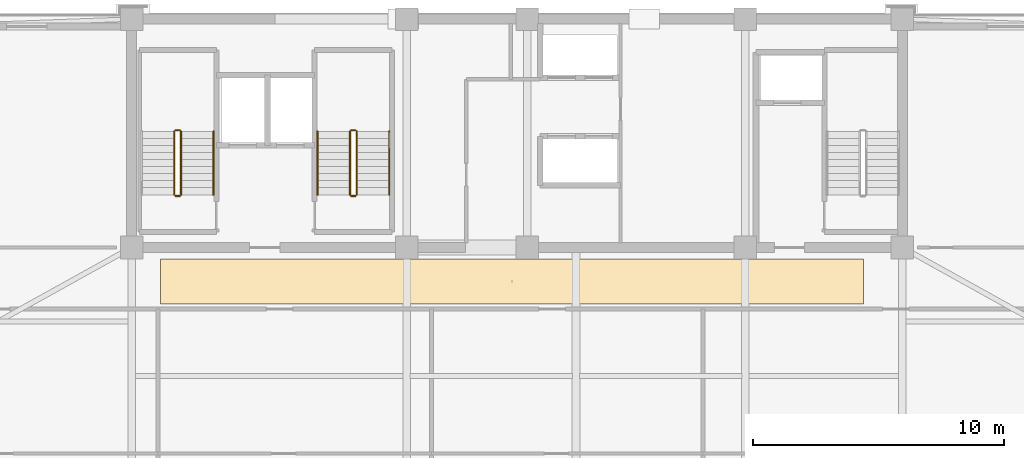
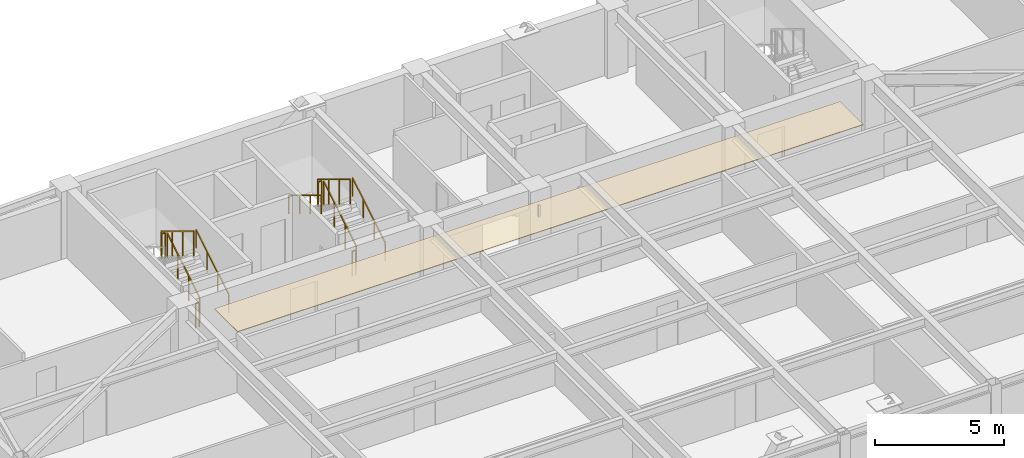
# One storey, part 13 of 16: 11 railings, 1 covering.
"""IFC4 building model written with IfcOpenShell, lengths in metres."""

from ifc_helpers import new_model, si_unit, direction, frame, origin, origin_2d, place, context, subcontext, project, spatial, polyline, rectangle, outline, extrude, material, layer, layer_set, type_object, element, save


model = new_model("IFC4")

# Units and contexts
model_context = context("Model", 3, precision=1e-05, world=origin(), true_north=direction((0.0, 1.0)))
body_context = subcontext(model_context, "Body", "Model", "MODEL_VIEW")
ifc_project = project(units=[si_unit("LENGTHUNIT", "METRE"), si_unit("AREAUNIT", "SQUARE_METRE"), si_unit("VOLUMEUNIT", "CUBIC_METRE"), si_unit("PLANEANGLEUNIT", "RADIAN"), si_unit("MASSUNIT", "GRAM", prefix="KILO")], contexts=[model_context])

# Site, building, storey
site_placement = place(None, origin())
site = spatial("IfcSite", under=ifc_project, at=site_placement, CompositionType="ELEMENT")
building_placement = place(site_placement, origin())
building = spatial("IfcBuilding", under=site, at=building_placement, Name="Giltprow Tower", CompositionType="ELEMENT")
storey_placement = place(building_placement, frame((0.0, 0.0, 272.300048828125)))
storey = spatial("IfcBuildingStorey", under=building, at=storey_placement, Name="L70", CompositionType="ELEMENT", Elevation=272.300048828125)

# Covering
ifc_material_1 = material(Name="Painted gypsum board", Category="gypsum")
ifc_layer = layer(ifc_material_1, 0.030029296875, Name="Painted gypsum board")
ifc_layer_set = layer_set([ifc_layer], Name="Painted gypsum board")
covering_type = type_object("IfcCoveringType", Name="COV-CLG-GYPSUM", PredefinedType="CEILING", material=ifc_layer_set)
covering_placement = place(storey_placement, frame((0.0, 0.0, 2.619873046875)))
element("IfcCovering", 1, at=covering_placement, inside=storey, type_object=covering_type, Name="L70 Residence Gallery Ceiling", PredefinedType="CEILING", context=body_context, shape_type="SweptSolid", body=[
    extrude(outline(polyline([(21.0, 35.199951171875), (49.0, 35.199951171875), (49.0, 37.0), (21.0, 37.0), (21.0, 35.199951171875)])), origin(), (0.0, 0.0, 1.0), 0.030029296875),
])

# Railings
ifc_material_2 = material(Name="Anodized bronze", Category="metal")
railing_type_1 = type_object("IfcRailingType", Name="RAIL-STAIR-GUARD-1200", PredefinedType="GUARDRAIL", material=ifc_material_2)
railing_1_placement = place(storey_placement, frame((21.81005859375, 39.550048828125, 0.169921875)))
element("IfcRailing", 2, at=railing_1_placement, inside=storey, type_object=railing_type_1, Name="L70 ST-1 stair guard 1", PredefinedType="GUARDRAIL", context=body_context, shape_type="SweptSolid", body=[
    extrude(rectangle(XDim=0.048095703125, YDim=0.048095703125, at=origin_2d()), frame((0.0, 0.0, 1.17578125), z_axis=(0.0, 0.85478489116, 0.518982456201), x_axis=(-1.0, 0.0, 0.0)), (0.0, 0.0, 1.0), 2.9482421875),
    extrude(rectangle(XDim=0.0419921875, YDim=0.0419921875, at=origin_2d()), origin(), (0.0, 0.0, 1.0), 1.15185546875),
    extrude(rectangle(XDim=0.0419921875, YDim=0.0419921875, at=origin_2d()), frame((0.0, 0.840087890625, 0.510009765625)), (0.0, 0.0, 1.0), 1.15185546875),
    extrude(rectangle(XDim=0.0419921875, YDim=0.0419921875, at=origin_2d()), frame((0.0, 1.679931640625, 1.02001953125)), (0.0, 0.0, 1.0), 1.15185546875),
    extrude(rectangle(XDim=0.0419921875, YDim=0.0419921875, at=origin_2d()), frame((0.0, 2.52001953125, 1.530029296875)), (0.0, 0.0, 1.0), 1.15185546875),
])
railing_2_placement = place(storey_placement, frame((21.760009765625, 42.1201171875, 1.699951171875)))
element("IfcRailing", 3, at=railing_2_placement, inside=storey, type_object=railing_type_1, Name="L70 ST-1 stair guard 2", PredefinedType="GUARDRAIL", context=body_context, shape_type="SweptSolid", body=[
    extrude(rectangle(XDim=0.048095703125, YDim=0.048095703125, at=origin_2d()), frame((0.0, 0.0, 1.17578125), z_axis=(-1.0, 0.0, 0.0), x_axis=(0.0, -1.0, 0.0)), (0.0, 0.0, 1.0), 0.159912109375),
    extrude(rectangle(XDim=0.0419921875, YDim=0.0419921875, at=origin_2d()), origin(), (0.0, 0.0, 1.0), 1.15185546875),
    extrude(rectangle(XDim=0.0419921875, YDim=0.0419921875, at=origin_2d()), frame((-0.159912109375, 0.0, 0.0)), (0.0, 0.0, 1.0), 1.15185546875),
])
railing_3_placement = place(storey_placement, frame((21.550048828125, 42.070068359375, 1.869873046875)))
element("IfcRailing", 4, at=railing_3_placement, inside=storey, type_object=railing_type_1, Name="L70 ST-1 stair guard 3", PredefinedType="GUARDRAIL", context=body_context, shape_type="SweptSolid", body=[
    extrude(rectangle(XDim=0.048095703125, YDim=0.048095703125, at=origin_2d()), frame((0.0, 0.0, 1.17578125), z_axis=(0.0, -0.85478489116, 0.518982456201), x_axis=(1.0, 0.0, 0.0)), (0.0, 0.0, 1.0), 2.9482421875),
    extrude(rectangle(XDim=0.0419921875, YDim=0.0419921875, at=origin_2d()), origin(), (0.0, 0.0, 1.0), 1.15185546875),
    extrude(rectangle(XDim=0.0419921875, YDim=0.0419921875, at=origin_2d()), frame((0.0, -0.840087890625, 0.510009765625)), (0.0, 0.0, 1.0), 1.15185546875),
    extrude(rectangle(XDim=0.0419921875, YDim=0.0419921875, at=origin_2d()), frame((0.0, -1.679931640625, 1.02001953125)), (0.0, 0.0, 1.0), 1.15185546875),
    extrude(rectangle(XDim=0.0419921875, YDim=0.0419921875, at=origin_2d()), frame((0.0, -2.52001953125, 1.530029296875)), (0.0, 0.0, 1.0), 1.15185546875),
])
railing_4_placement = place(storey_placement, frame((21.760009765625, 39.5, 0.0)))
element("IfcRailing", 5, at=railing_4_placement, inside=storey, type_object=railing_type_1, Name="L70 ST-1 stair guard 4", PredefinedType="GUARDRAIL", context=body_context, shape_type="SweptSolid", body=[
    extrude(rectangle(XDim=0.048095703125, YDim=0.048095703125, at=origin_2d()), frame((0.0, 0.0, 1.17578125), z_axis=(-1.0, 0.0, 0.0), x_axis=(0.0, -1.0, 0.0)), (0.0, 0.0, 1.0), 0.159912109375),
    extrude(rectangle(XDim=0.0419921875, YDim=0.0419921875, at=origin_2d()), origin(), (0.0, 0.0, 1.0), 1.15185546875),
    extrude(rectangle(XDim=0.0419921875, YDim=0.0419921875, at=origin_2d()), frame((-0.159912109375, 0.0, 0.0)), (0.0, 0.0, 1.0), 1.15185546875),
])
railing_5_placement = place(storey_placement, frame((28.81005859375, 39.550048828125, 0.169921875)))
element("IfcRailing", 6, at=railing_5_placement, inside=storey, type_object=railing_type_1, Name="L70 ST-2 stair guard 1", PredefinedType="GUARDRAIL", context=body_context, shape_type="SweptSolid", body=[
    extrude(rectangle(XDim=0.048095703125, YDim=0.048095703125, at=origin_2d()), frame((0.0, 0.0, 1.17578125), z_axis=(0.0, 0.85478489116, 0.518982456201), x_axis=(-1.0, 0.0, 0.0)), (0.0, 0.0, 1.0), 2.9482421875),
    extrude(rectangle(XDim=0.0419921875, YDim=0.0419921875, at=origin_2d()), origin(), (0.0, 0.0, 1.0), 1.15185546875),
    extrude(rectangle(XDim=0.0419921875, YDim=0.0419921875, at=origin_2d()), frame((0.0, 0.840087890625, 0.510009765625)), (0.0, 0.0, 1.0), 1.15185546875),
    extrude(rectangle(XDim=0.0419921875, YDim=0.0419921875, at=origin_2d()), frame((0.0, 1.679931640625, 1.02001953125)), (0.0, 0.0, 1.0), 1.15185546875),
    extrude(rectangle(XDim=0.0419921875, YDim=0.0419921875, at=origin_2d()), frame((0.0, 2.52001953125, 1.530029296875)), (0.0, 0.0, 1.0), 1.15185546875),
])
railing_6_placement = place(storey_placement, frame((28.760009765625, 42.1201171875, 1.699951171875)))
element("IfcRailing", 7, at=railing_6_placement, inside=storey, type_object=railing_type_1, Name="L70 ST-2 stair guard 2", PredefinedType="GUARDRAIL", context=body_context, shape_type="SweptSolid", body=[
    extrude(rectangle(XDim=0.048095703125, YDim=0.048095703125, at=origin_2d()), frame((0.0, 0.0, 1.17578125), z_axis=(-1.0, 0.0, 0.0), x_axis=(0.0, -1.0, 0.0)), (0.0, 0.0, 1.0), 0.159912109375),
    extrude(rectangle(XDim=0.0419921875, YDim=0.0419921875, at=origin_2d()), origin(), (0.0, 0.0, 1.0), 1.15185546875),
    extrude(rectangle(XDim=0.0419921875, YDim=0.0419921875, at=origin_2d()), frame((-0.159912109375, 0.0, 0.0)), (0.0, 0.0, 1.0), 1.15185546875),
])
railing_7_placement = place(storey_placement, frame((28.550048828125, 42.070068359375, 1.869873046875)))
element("IfcRailing", 8, at=railing_7_placement, inside=storey, type_object=railing_type_1, Name="L70 ST-2 stair guard 3", PredefinedType="GUARDRAIL", context=body_context, shape_type="SweptSolid", body=[
    extrude(rectangle(XDim=0.048095703125, YDim=0.048095703125, at=origin_2d()), frame((0.0, 0.0, 1.17578125), z_axis=(0.0, -0.85478489116, 0.518982456201), x_axis=(1.0, 0.0, 0.0)), (0.0, 0.0, 1.0), 2.9482421875),
    extrude(rectangle(XDim=0.0419921875, YDim=0.0419921875, at=origin_2d()), origin(), (0.0, 0.0, 1.0), 1.15185546875),
    extrude(rectangle(XDim=0.0419921875, YDim=0.0419921875, at=origin_2d()), frame((0.0, -0.840087890625, 0.510009765625)), (0.0, 0.0, 1.0), 1.15185546875),
    extrude(rectangle(XDim=0.0419921875, YDim=0.0419921875, at=origin_2d()), frame((0.0, -1.679931640625, 1.02001953125)), (0.0, 0.0, 1.0), 1.15185546875),
    extrude(rectangle(XDim=0.0419921875, YDim=0.0419921875, at=origin_2d()), frame((0.0, -2.52001953125, 1.530029296875)), (0.0, 0.0, 1.0), 1.15185546875),
])
railing_8_placement = place(storey_placement, frame((28.760009765625, 39.5, 0.0)))
element("IfcRailing", 9, at=railing_8_placement, inside=storey, type_object=railing_type_1, Name="L70 ST-2 stair guard 4", PredefinedType="GUARDRAIL", context=body_context, shape_type="SweptSolid", body=[
    extrude(rectangle(XDim=0.048095703125, YDim=0.048095703125, at=origin_2d()), frame((0.0, 0.0, 1.17578125), z_axis=(-1.0, 0.0, 0.0), x_axis=(0.0, -1.0, 0.0)), (0.0, 0.0, 1.0), 0.159912109375),
    extrude(rectangle(XDim=0.0419921875, YDim=0.0419921875, at=origin_2d()), origin(), (0.0, 0.0, 1.0), 1.15185546875),
    extrude(rectangle(XDim=0.0419921875, YDim=0.0419921875, at=origin_2d()), frame((-0.159912109375, 0.0, 0.0)), (0.0, 0.0, 1.0), 1.15185546875),
])
railing_type_2 = type_object("IfcRailingType", Name="RAIL-STAIR-HAND-900", PredefinedType="HANDRAIL", material=ifc_material_2)
for number, where, name in (
    (10, (23.110107421875, 39.550048828125, 0.169921875), "L70 ST-1 stair handrail 1"),
    (11, (30.110107421875, 39.550048828125, 0.169921875), "L70 ST-2 stair handrail 1"),
):
    element("IfcRailing", number, at=place(storey_placement, frame(where)), inside=storey, type_object=railing_type_2, Name=name, PredefinedType="HANDRAIL", context=body_context, shape_type="SweptSolid", body=[
        extrude(rectangle(XDim=0.048095703125, YDim=0.048095703125, at=origin_2d()), frame((0.0, 0.0, 0.8759765625), z_axis=(0.0, 0.85478489116, 0.518982456201), x_axis=(-1.0, 0.0, 0.0)), (0.0, 0.0, 1.0), 2.9482421875),
        extrude(rectangle(XDim=0.0419921875, YDim=0.0419921875, at=origin_2d()), origin(), (0.0, 0.0, 1.0), 0.851806640625),
        extrude(rectangle(XDim=0.0419921875, YDim=0.0419921875, at=origin_2d()), frame((0.0, 0.840087890625, 0.510009765625)), (0.0, 0.0, 1.0), 0.851806640625),
        extrude(rectangle(XDim=0.0419921875, YDim=0.0419921875, at=origin_2d()), frame((0.0, 1.679931640625, 1.02001953125)), (0.0, 0.0, 1.0), 0.851806640625),
        extrude(rectangle(XDim=0.0419921875, YDim=0.0419921875, at=origin_2d()), frame((0.0, 2.52001953125, 1.530029296875)), (0.0, 0.0, 1.0), 0.851806640625),
    ])
railing_9_placement = place(storey_placement, frame((27.25, 42.070068359375, 1.869873046875)))
element("IfcRailing", 12, at=railing_9_placement, inside=storey, type_object=railing_type_2, Name="L70 ST-2 stair handrail 2", PredefinedType="HANDRAIL", context=body_context, shape_type="SweptSolid", body=[
    extrude(rectangle(XDim=0.048095703125, YDim=0.048095703125, at=origin_2d()), frame((0.0, 0.0, 0.8759765625), z_axis=(0.0, -0.85478489116, 0.518982456201), x_axis=(1.0, 0.0, 0.0)), (0.0, 0.0, 1.0), 2.9482421875),
    extrude(rectangle(XDim=0.0419921875, YDim=0.0419921875, at=origin_2d()), origin(), (0.0, 0.0, 1.0), 0.851806640625),
    extrude(rectangle(XDim=0.0419921875, YDim=0.0419921875, at=origin_2d()), frame((0.0, -0.840087890625, 0.510009765625)), (0.0, 0.0, 1.0), 0.851806640625),
    extrude(rectangle(XDim=0.0419921875, YDim=0.0419921875, at=origin_2d()), frame((0.0, -1.679931640625, 1.02001953125)), (0.0, 0.0, 1.0), 0.851806640625),
    extrude(rectangle(XDim=0.0419921875, YDim=0.0419921875, at=origin_2d()), frame((0.0, -2.52001953125, 1.530029296875)), (0.0, 0.0, 1.0), 0.851806640625),
])

save(model, "model.ifc")
